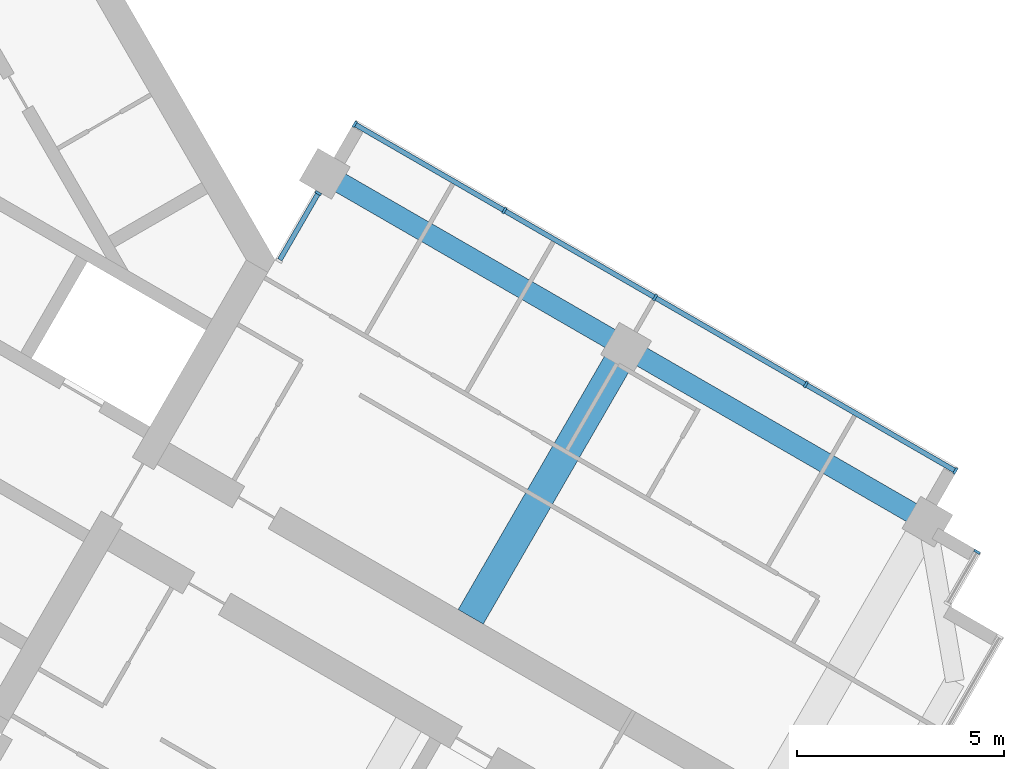
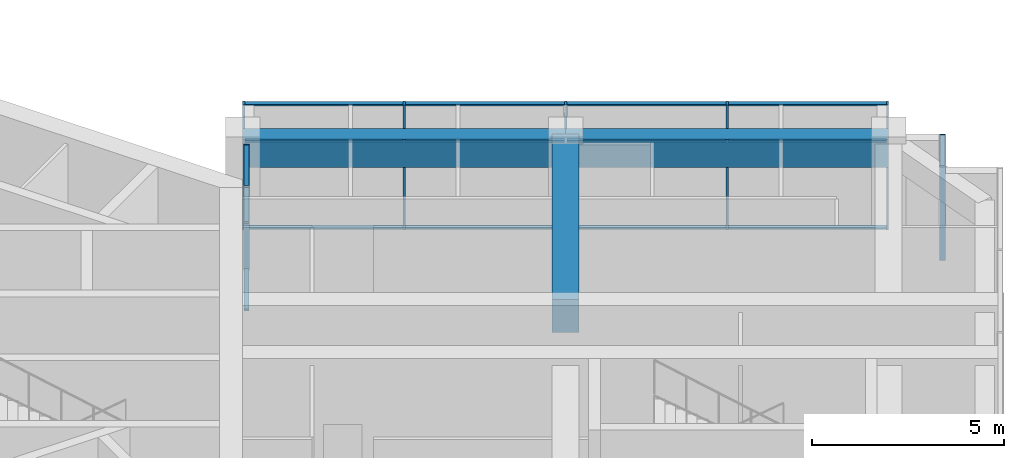
# One storey, part 5 of 14: 22 members, 3 beams, 3 elements without a shape of their own.
"""IFC4 building model written with IfcOpenShell, lengths in metres."""

from ifc_helpers import new_model, si_unit, direction, frame, origin, origin_2d, place, context, subcontext, project, spatial, rectangle, extrude, material, material_profile, profile_set, type_object, element, aggregate, save


model = new_model("IFC4")

# Units and contexts
model_context = context("Model", 3, precision=1e-05, world=origin(), true_north=direction((0.0, 1.0)))
body_context = subcontext(model_context, "Body", "Model", "MODEL_VIEW")
ifc_project = project(units=[si_unit("LENGTHUNIT", "METRE"), si_unit("AREAUNIT", "SQUARE_METRE"), si_unit("VOLUMEUNIT", "CUBIC_METRE"), si_unit("PLANEANGLEUNIT", "RADIAN"), si_unit("MASSUNIT", "GRAM", prefix="KILO")], contexts=[model_context])

# Site, building, storey
site_placement = place(None, origin())
site = spatial("IfcSite", under=ifc_project, at=site_placement, CompositionType="ELEMENT")
building_placement = place(site_placement, origin())
building = spatial("IfcBuilding", under=site, at=building_placement, Name="Impinga Residences", CompositionType="ELEMENT")
storey_placement = place(building_placement, frame((0.0, 0.0, 278.949951171875)))
storey = spatial("IfcBuildingStorey", under=building, at=storey_placement, Name="L70", CompositionType="ELEMENT", Elevation=278.949951171875)

# Beam
ifc_material_1 = material(Name="Concrete C60/75", Category="concrete")
ifc_material_profile_1 = material_profile(ifc_material_1, rectangle(XDim=0.699951171875, YDim=1.050048828125, at=origin_2d()), Name="RC 700x1050")
ifc_profile_set_1 = profile_set([ifc_material_profile_1], Name="Concrete C60/75")
beam_type_1 = type_object("IfcBeamType", Name="CG1 700x1050 cross girder on a wing bay line", PredefinedType="BEAM", material=ifc_profile_set_1)
beam_placement = place(storey_placement, frame((17.924560546875, -8.61669921875, 3.455078125), z_axis=(0.500004234368, 0.866022959057, 0.0), x_axis=(-0.866022959057, 0.500004234368, 0.0)))
element("IfcBeam", 1, at=beam_placement, inside=storey, type_object=beam_type_1, Name="Beam CG1 E2 EC/EA level L71", PredefinedType="BEAM", context=body_context, shape_type="SweptSolid", body=[
    extrude(rectangle(XDim=0.699951171875, YDim=1.050048828125, at=origin_2d()), origin(), (0.0, 0.0, 1.0), 7.5),
])

# Curtain wall, member
ifc_material_2 = material(Name="Aluminium stick curtain wall", Category="aluminium")
curtain_wall_type = type_object("IfcCurtainWallType", Name="CW3 penthouse curtain wall", PredefinedType="USERDEFINED", material=ifc_material_2)
curtain_wall_1_placement = place(storey_placement, origin())
curtain_wall_1 = element("IfcCurtainWall", 2, at=curtain_wall_1_placement, inside=storey, type_object=curtain_wall_type, Name="Curtain wall CW3 L70", ObjectType="STICK CURTAIN WALL", PredefinedType="USERDEFINED")
ifc_material_3 = material(Name="Aluminium mullion", Category="aluminium")
ifc_material_profile_2 = material_profile(ifc_material_3, rectangle(XDim=0.06005859375, YDim=0.159912109375, at=origin_2d()), Name="60x160 mullion")
ifc_profile_set_2 = profile_set([ifc_material_profile_2], Name="Aluminium mullion")
member_type_1 = type_object("IfcMemberType", Name="CW3-M mullion 60x160", PredefinedType="MULLION", material=ifc_profile_set_2)
member_1_placement = place(storey_placement, frame((14.2451171875, 1.610107421875, 0.0), z_axis=(0.0, 0.0, 1.0), x_axis=(0.50000010257, 0.866025344565, 0.0)))
member_1 = element("IfcMember", 3, at=member_1_placement, type_object=member_type_1, Name="CW3 mullion 2", PredefinedType="MULLION", context=body_context, shape_type="SweptSolid", body=[
    extrude(rectangle(XDim=0.06005859375, YDim=0.159912109375, at=origin_2d()), origin(), (0.0, 0.0, 1.0), 3.97998046875),
])

# Curtain wall, members
curtain_wall_2_placement = place(storey_placement, origin())
curtain_wall_2 = element("IfcCurtainWall", 4, at=curtain_wall_2_placement, inside=storey, type_object=curtain_wall_type, Name="Curtain wall CW3 L70", ObjectType="STICK CURTAIN WALL", PredefinedType="USERDEFINED")
member_2_placement = place(storey_placement, frame((15.1259765625, 3.27587890625, 0.0), z_axis=(0.0, 0.0, 1.0), x_axis=(0.866025407005, -0.499999994423, 0.0)))
member_2 = element("IfcMember", 5, at=member_2_placement, type_object=member_type_1, Name="CW3 mullion 1", PredefinedType="MULLION", context=body_context, shape_type="SweptSolid", body=[
    extrude(rectangle(XDim=0.06005859375, YDim=0.159912109375, at=origin_2d()), origin(), (0.0, 0.0, 1.0), 3.97998046875),
])
member_3_placement = place(storey_placement, frame((18.7373046875, 1.19091796875, 0.0), z_axis=(0.0, 0.0, 1.0), x_axis=(0.866025407005, -0.499999994423, 0.0)))
member_3 = element("IfcMember", 6, at=member_3_placement, type_object=member_type_1, Name="CW3 mullion 2", PredefinedType="MULLION", context=body_context, shape_type="SweptSolid", body=[
    extrude(rectangle(XDim=0.06005859375, YDim=0.159912109375, at=origin_2d()), origin(), (0.0, 0.0, 1.0), 3.97998046875),
])
member_4_placement = place(storey_placement, frame((22.37451171875, -0.9091796875, 0.0), z_axis=(0.0, 0.0, 1.0), x_axis=(0.866025407005, -0.499999994423, 0.0)))
member_4 = element("IfcMember", 7, at=member_4_placement, type_object=member_type_1, Name="CW3 mullion 3", PredefinedType="MULLION", context=body_context, shape_type="SweptSolid", body=[
    extrude(rectangle(XDim=0.06005859375, YDim=0.159912109375, at=origin_2d()), origin(), (0.0, 0.0, 1.0), 3.97998046875),
])
member_5_placement = place(storey_placement, frame((26.011962890625, -3.009033203125, 0.0), z_axis=(0.0, 0.0, 1.0), x_axis=(0.866025407005, -0.499999994423, 0.0)))
member_5 = element("IfcMember", 8, at=member_5_placement, type_object=member_type_1, Name="CW3 mullion 4", PredefinedType="MULLION", context=body_context, shape_type="SweptSolid", body=[
    extrude(rectangle(XDim=0.06005859375, YDim=0.159912109375, at=origin_2d()), origin(), (0.0, 0.0, 1.0), 3.97998046875),
])
member_6_placement = place(storey_placement, frame((29.623291015625, -5.093994140625, 0.0), z_axis=(0.0, 0.0, 1.0), x_axis=(0.866025407005, -0.499999994423, 0.0)))
member_6 = element("IfcMember", 9, at=member_6_placement, type_object=member_type_1, Name="CW3 mullion 5", PredefinedType="MULLION", context=body_context, shape_type="SweptSolid", body=[
    extrude(rectangle(XDim=0.06005859375, YDim=0.159912109375, at=origin_2d()), origin(), (0.0, 0.0, 1.0), 3.97998046875),
])

# Curtain wall, member
curtain_wall_3_placement = place(storey_placement, origin())
curtain_wall_3 = element("IfcCurtainWall", 10, at=curtain_wall_3_placement, inside=storey, type_object=curtain_wall_type, Name="Curtain wall CW3 L70", ObjectType="STICK CURTAIN WALL", PredefinedType="USERDEFINED")
member_7_placement = place(storey_placement, frame((30.146728515625, -7.047607421875, 0.0), z_axis=(0.0, 0.0, 1.0), x_axis=(-0.500000030502, -0.866025386174, 0.0)))
member_7 = element("IfcMember", 11, at=member_7_placement, type_object=member_type_1, Name="CW3 mullion 1", PredefinedType="MULLION", context=body_context, shape_type="SweptSolid", body=[
    extrude(rectangle(XDim=0.06005859375, YDim=0.159912109375, at=origin_2d()), origin(), (0.0, 0.0, 1.0), 3.97998046875),
])
aggregate(curtain_wall_3, [member_7])

# Member
ifc_material_4 = material(Name="Aluminium transom", Category="aluminium")
ifc_material_profile_3 = material_profile(ifc_material_4, rectangle(XDim=0.06005859375, YDim=0.1201171875, at=origin_2d()), Name="60x120 transom")
ifc_profile_set_3 = profile_set([ifc_material_profile_3], Name="Aluminium transom")
member_type_2 = type_object("IfcMemberType", Name="CW3-T transom 60x120", PredefinedType="USERDEFINED", material=ifc_profile_set_3)
member_8_placement = place(storey_placement, frame((13.316650390625, 0.001953125, 0.030029296875), z_axis=(0.500019332402, 0.866014241929, 0.0), x_axis=(0.0, 0.0, 1.0)))
member_8 = element("IfcMember", 12, at=member_8_placement, type_object=member_type_2, Name="CW3 transom 1.1", ObjectType="TRANSOM", PredefinedType="USERDEFINED", context=body_context, shape_type="SweptSolid", body=[
    extrude(rectangle(XDim=0.06005859375, YDim=0.1201171875, at=origin_2d()), origin(), (0.0, 0.0, 1.0), 1.8271484375),
])

member_9_placement = place(storey_placement, frame((13.316650390625, 0.001953125, 2.800048828125), z_axis=(0.500019332402, 0.866014241929, 0.0), x_axis=(0.0, 0.0, 1.0)))
member_9 = element("IfcMember", 13, at=member_9_placement, type_object=member_type_2, Name="CW3 transom 1.2", ObjectType="TRANSOM", PredefinedType="USERDEFINED", context=body_context, shape_type="SweptSolid", body=[
    extrude(rectangle(XDim=0.06005859375, YDim=0.1201171875, at=origin_2d()), origin(), (0.0, 0.0, 1.0), 1.8271484375),
])

member_10_placement = place(storey_placement, frame((13.316650390625, 0.001953125, 3.949951171875), z_axis=(0.500019332402, 0.866014241929, 0.0), x_axis=(0.0, 0.0, 1.0)))
member_10 = element("IfcMember", 14, at=member_10_placement, type_object=member_type_2, Name="CW3 transom 1.3", ObjectType="TRANSOM", PredefinedType="USERDEFINED", context=body_context, shape_type="SweptSolid", body=[
    extrude(rectangle(XDim=0.06005859375, YDim=0.1201171875, at=origin_2d()), origin(), (0.0, 0.0, 1.0), 1.8271484375),
])

aggregate(curtain_wall_1, [member_1, member_8, member_9, member_10])

member_11_placement = place(storey_placement, frame((15.15185546875, 3.260986328125, 0.030029296875), z_axis=(0.866019409031, -0.500010383074, 0.0), x_axis=(0.0, 0.0, 1.0)))
member_11 = element("IfcMember", 15, at=member_11_placement, type_object=member_type_2, Name="CW3 transom 1.1", ObjectType="TRANSOM", PredefinedType="USERDEFINED", context=body_context, shape_type="SweptSolid", body=[
    extrude(rectangle(XDim=0.06005859375, YDim=0.1201171875, at=origin_2d()), origin(), (0.0, 0.0, 1.0), 4.1103515625),
])

member_12_placement = place(storey_placement, frame((15.15185546875, 3.260986328125, 2.800048828125), z_axis=(0.866019409031, -0.500010383074, 0.0), x_axis=(0.0, 0.0, 1.0)))
member_12 = element("IfcMember", 16, at=member_12_placement, type_object=member_type_2, Name="CW3 transom 1.2", ObjectType="TRANSOM", PredefinedType="USERDEFINED", context=body_context, shape_type="SweptSolid", body=[
    extrude(rectangle(XDim=0.06005859375, YDim=0.1201171875, at=origin_2d()), origin(), (0.0, 0.0, 1.0), 4.1103515625),
])

member_13_placement = place(storey_placement, frame((15.15185546875, 3.260986328125, 3.949951171875), z_axis=(0.866019409031, -0.500010383074, 0.0), x_axis=(0.0, 0.0, 1.0)))
member_13 = element("IfcMember", 17, at=member_13_placement, type_object=member_type_2, Name="CW3 transom 1.3", ObjectType="TRANSOM", PredefinedType="USERDEFINED", context=body_context, shape_type="SweptSolid", body=[
    extrude(rectangle(XDim=0.06005859375, YDim=0.1201171875, at=origin_2d()), origin(), (0.0, 0.0, 1.0), 4.1103515625),
])

member_14_placement = place(storey_placement, frame((18.76318359375, 1.17578125, 0.030029296875), z_axis=(0.866050071143, -0.499957272447, 0.0), x_axis=(0.0, 0.0, 1.0)))
member_14 = element("IfcMember", 18, at=member_14_placement, type_object=member_type_2, Name="CW3 transom 2.1", ObjectType="TRANSOM", PredefinedType="USERDEFINED", context=body_context, shape_type="SweptSolid", body=[
    extrude(rectangle(XDim=0.06005859375, YDim=0.1201171875, at=origin_2d()), origin(), (0.0, 0.0, 1.0), 4.139892578125),
])

member_15_placement = place(storey_placement, frame((18.76318359375, 1.17578125, 2.800048828125), z_axis=(0.866050071143, -0.499957272447, 0.0), x_axis=(0.0, 0.0, 1.0)))
member_15 = element("IfcMember", 19, at=member_15_placement, type_object=member_type_2, Name="CW3 transom 2.2", ObjectType="TRANSOM", PredefinedType="USERDEFINED", context=body_context, shape_type="SweptSolid", body=[
    extrude(rectangle(XDim=0.06005859375, YDim=0.1201171875, at=origin_2d()), origin(), (0.0, 0.0, 1.0), 4.139892578125),
])

member_16_placement = place(storey_placement, frame((18.76318359375, 1.17578125, 3.949951171875), z_axis=(0.866050071143, -0.499957272447, 0.0), x_axis=(0.0, 0.0, 1.0)))
member_16 = element("IfcMember", 20, at=member_16_placement, type_object=member_type_2, Name="CW3 transom 2.3", ObjectType="TRANSOM", PredefinedType="USERDEFINED", context=body_context, shape_type="SweptSolid", body=[
    extrude(rectangle(XDim=0.06005859375, YDim=0.1201171875, at=origin_2d()), origin(), (0.0, 0.0, 1.0), 4.139892578125),
])

member_17_placement = place(storey_placement, frame((22.400634765625, -0.924072265625, 0.030029296875), z_axis=(0.866009793405, -0.500027036996, 0.0), x_axis=(0.0, 0.0, 1.0)))
member_17 = element("IfcMember", 21, at=member_17_placement, type_object=member_type_2, Name="CW3 transom 3.1", ObjectType="TRANSOM", PredefinedType="USERDEFINED", context=body_context, shape_type="SweptSolid", body=[
    extrude(rectangle(XDim=0.06005859375, YDim=0.1201171875, at=origin_2d()), origin(), (0.0, 0.0, 1.0), 4.139892578125),
])

member_18_placement = place(storey_placement, frame((22.400634765625, -0.924072265625, 2.800048828125), z_axis=(0.866009793405, -0.500027036996, 0.0), x_axis=(0.0, 0.0, 1.0)))
member_18 = element("IfcMember", 22, at=member_18_placement, type_object=member_type_2, Name="CW3 transom 3.2", ObjectType="TRANSOM", PredefinedType="USERDEFINED", context=body_context, shape_type="SweptSolid", body=[
    extrude(rectangle(XDim=0.06005859375, YDim=0.1201171875, at=origin_2d()), origin(), (0.0, 0.0, 1.0), 4.139892578125),
])

member_19_placement = place(storey_placement, frame((22.400634765625, -0.924072265625, 3.949951171875), z_axis=(0.866009793405, -0.500027036996, 0.0), x_axis=(0.0, 0.0, 1.0)))
member_19 = element("IfcMember", 23, at=member_19_placement, type_object=member_type_2, Name="CW3 transom 3.3", ObjectType="TRANSOM", PredefinedType="USERDEFINED", context=body_context, shape_type="SweptSolid", body=[
    extrude(rectangle(XDim=0.06005859375, YDim=0.1201171875, at=origin_2d()), origin(), (0.0, 0.0, 1.0), 4.139892578125),
])

member_20_placement = place(storey_placement, frame((26.037841796875, -3.024169921875, 0.030029296875), z_axis=(0.866030279993, -0.499991554064, 0.0), x_axis=(0.0, 0.0, 1.0)))
member_20 = element("IfcMember", 24, at=member_20_placement, type_object=member_type_2, Name="CW3 transom 4.1", ObjectType="TRANSOM", PredefinedType="USERDEFINED", context=body_context, shape_type="SweptSolid", body=[
    extrude(rectangle(XDim=0.06005859375, YDim=0.1201171875, at=origin_2d()), origin(), (0.0, 0.0, 1.0), 4.10986328125),
])

member_21_placement = place(storey_placement, frame((26.037841796875, -3.024169921875, 2.800048828125), z_axis=(0.866030279993, -0.499991554064, 0.0), x_axis=(0.0, 0.0, 1.0)))
member_21 = element("IfcMember", 25, at=member_21_placement, type_object=member_type_2, Name="CW3 transom 4.2", ObjectType="TRANSOM", PredefinedType="USERDEFINED", context=body_context, shape_type="SweptSolid", body=[
    extrude(rectangle(XDim=0.06005859375, YDim=0.1201171875, at=origin_2d()), origin(), (0.0, 0.0, 1.0), 4.10986328125),
])

member_22_placement = place(storey_placement, frame((26.037841796875, -3.024169921875, 3.949951171875), z_axis=(0.866030279993, -0.499991554064, 0.0), x_axis=(0.0, 0.0, 1.0)))
member_22 = element("IfcMember", 26, at=member_22_placement, type_object=member_type_2, Name="CW3 transom 4.3", ObjectType="TRANSOM", PredefinedType="USERDEFINED", context=body_context, shape_type="SweptSolid", body=[
    extrude(rectangle(XDim=0.06005859375, YDim=0.1201171875, at=origin_2d()), origin(), (0.0, 0.0, 1.0), 4.10986328125),
])

aggregate(curtain_wall_2, [member_2, member_3, member_4, member_5, member_6, member_11, member_12, member_13, member_14, member_15, member_16, member_17, member_18, member_19, member_20, member_21, member_22])

# Beams
ifc_material_profile_4 = material_profile(ifc_material_1, rectangle(XDim=0.5, YDim=0.89990234375, at=origin_2d()), Name="RC 500x900")
ifc_profile_set_4 = profile_set([ifc_material_profile_4], Name="Concrete C60/75")
beam_type_2 = type_object("IfcBeamType", Name="SB1 500x900 perimeter spandrel beam", PredefinedType="SPANDREL", material=ifc_profile_set_4)
for number, where, z_axis, x_axis, name in (
    (27, (14.39990234375, 2.078369140625, 3.530029296875), (0.86602925447, -0.499993330357, 0.0), (0.499993330357, 0.86602925447, 0.0), "Beam SB1 EA E1-E2 level L71"),
    (28, (21.674560546875, -2.12158203125, 3.530029296875), (0.86602925447, -0.499993330357, 0.0), (0.499993330357, 0.86602925447, 0.0), "Beam SB1 EA E2-E3 level L71"),
):
    element("IfcBeam", number, at=place(storey_placement, frame(where, z_axis=z_axis, x_axis=x_axis)), inside=storey, type_object=beam_type_2, Name=name, PredefinedType="SPANDREL", context=body_context, shape_type="SweptSolid", body=[
        extrude(rectangle(XDim=0.5, YDim=0.89990234375, at=origin_2d()), origin(), (0.0, 0.0, 1.0), 8.39990234375),
    ])

save(model, "model.ifc")
